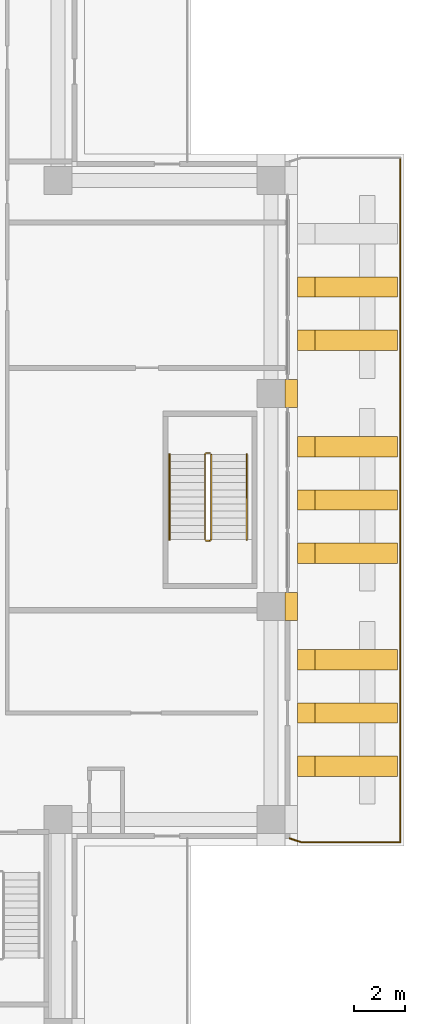
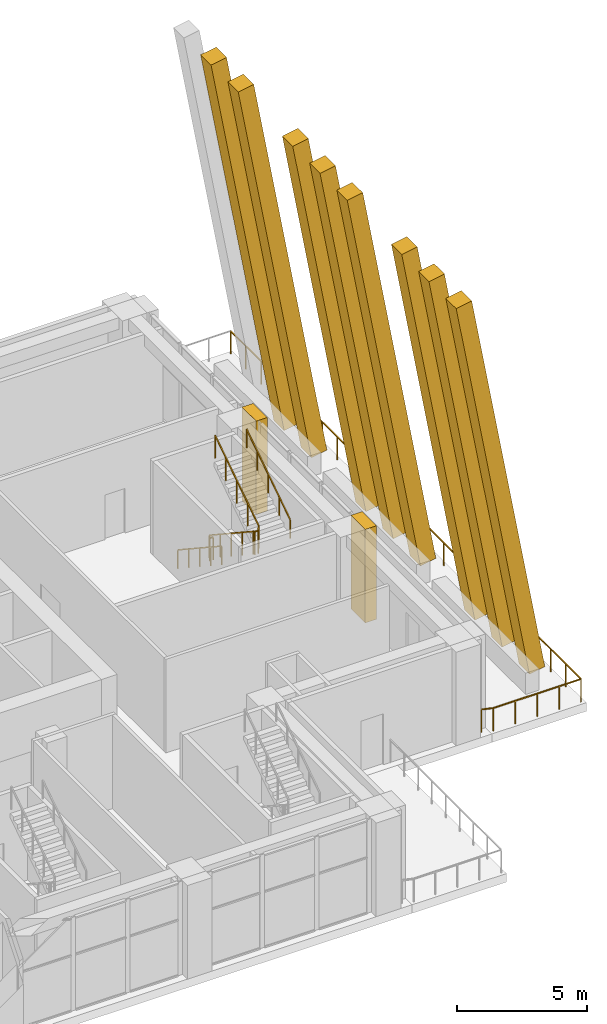
# One storey, part 16 of 19: 10 coverings, 6 railings.
"""IFC4 building model written with IfcOpenShell, lengths in metres."""

from ifc_helpers import new_model, si_unit, direction, frame, origin, origin_2d, place, context, subcontext, project, spatial, polyline, rectangle, outline, extrude, material, material_profile, profile_set, type_object, element, save


model = new_model("IFC4")

# Units and contexts
model_context = context("Model", 3, precision=1e-05, world=origin(), true_north=direction((0.0, 1.0)))
body_context = subcontext(model_context, "Body", "Model", "MODEL_VIEW")
ifc_project = project(units=[si_unit("LENGTHUNIT", "METRE"), si_unit("AREAUNIT", "SQUARE_METRE"), si_unit("VOLUMEUNIT", "CUBIC_METRE"), si_unit("PLANEANGLEUNIT", "RADIAN"), si_unit("MASSUNIT", "GRAM", prefix="KILO")], contexts=[model_context])

# Site, building, storey
site_placement = place(None, origin())
site = spatial("IfcSite", under=ifc_project, at=site_placement, CompositionType="ELEMENT")
building_placement = place(site_placement, origin())
building = spatial("IfcBuilding", under=site, at=building_placement, Name="Vermilion Ogive Tower", CompositionType="ELEMENT")
storey_placement = place(building_placement, frame((0.0, 0.0, 128.300048828125)))
storey = spatial("IfcBuildingStorey", under=building, at=storey_placement, Name="L32", CompositionType="ELEMENT", Elevation=128.300048828125)

# Railings
ifc_material_1 = material(Name="Steel S355 painted", Category="steel")
railing_type_1 = type_object("IfcRailingType", Name="Stair guard 1100", PredefinedType="GUARDRAIL", material=ifc_material_1)
railing_1_placement = place(storey_placement, frame((18.60009765625, 1.85009765625, 0.0)))
element("IfcRailing", 1, at=railing_1_placement, inside=storey, type_object=railing_type_1, Name="L32 ST8 stair guard 4", PredefinedType="GUARDRAIL", context=body_context, shape_type="SweptSolid", body=[
    extrude(rectangle(XDim=0.048095703125, YDim=0.048095703125, at=origin_2d()), frame((0.0, 0.0, 1.076171875), z_axis=(-1.0, 0.0, 0.0), x_axis=(0.0, -1.0, 0.0)), (0.0, 0.0, 1.0), 0.150146484375),
    extrude(rectangle(XDim=0.048095703125, YDim=0.048095703125, at=origin_2d()), frame((-0.150146484375, 0.0, 1.076171875), z_axis=(-0.253185614162, -0.253185614162, 0.933699142959), x_axis=(0.707106781187, -0.707106781187, 0.0)), (0.0, 0.0, 1.0), 0.19775390625),
    extrude(rectangle(XDim=0.048095703125, YDim=0.048095703125, at=origin_2d()), frame((-0.2001953125, -0.050048828125, 1.2607421875), z_axis=(0.0, -0.834876476806, 0.550437342915), x_axis=(1.0, 0.0, 0.0)), (0.0, 0.0, 1.0), 4.024658203125),
    extrude(rectangle(XDim=0.048095703125, YDim=0.048095703125, at=origin_2d()), frame((-0.2001953125, -3.41015625, 3.47607421875), z_axis=(0.707106781187, -0.707106781187, 0.0), x_axis=(0.707106781187, 0.707106781187, 0.0)), (0.0, 0.0, 1.0), 0.07080078125),
    extrude(rectangle(XDim=0.048095703125, YDim=0.048095703125, at=origin_2d()), frame((-0.150146484375, -3.460205078125, 3.47607421875), z_axis=(1.0, 0.0, 0.0), x_axis=(0.0, 1.0, 0.0)), (0.0, 0.0, 1.0), 0.150146484375),
    extrude(rectangle(XDim=0.048095703125, YDim=0.048095703125, at=origin_2d()), frame((0.0, -3.460205078125, 3.47607421875), z_axis=(0.252029191293, 0.253264628505, 0.933990532438), x_axis=(-0.708833529934, 0.705375805398, 0.0)), (0.0, 0.0, 1.0), 0.197509765625),
    extrude(rectangle(XDim=0.048095703125, YDim=0.048095703125, at=origin_2d()), frame((0.0498046875, -3.41015625, 3.66064453125), z_axis=(0.0, 0.834848600103, 0.550479622607), x_axis=(-1.0, 0.0, 0.0)), (0.0, 0.0, 1.0), 4.02490234375),
    extrude(rectangle(XDim=0.0419921875, YDim=0.0419921875, at=origin_2d()), origin(), (0.0, 0.0, 1.0), 1.052001953125),
    extrude(rectangle(XDim=0.0419921875, YDim=0.0419921875, at=origin_2d()), frame((-0.150146484375, 0.0, 0.0)), (0.0, 0.0, 1.0), 1.052001953125),
    extrude(rectangle(XDim=0.0419921875, YDim=0.0419921875, at=origin_2d()), frame((-0.2001953125, -0.050048828125, 0.1845703125)), (0.0, 0.0, 1.0), 1.052001953125),
    extrude(rectangle(XDim=0.0419921875, YDim=0.0419921875, at=origin_2d()), frame((-0.2001953125, -0.89013671875, 0.73828125)), (0.0, 0.0, 1.0), 1.052001953125),
    extrude(rectangle(XDim=0.0419921875, YDim=0.0419921875, at=origin_2d()), frame((-0.2001953125, -1.72998046875, 1.292236328125)), (0.0, 0.0, 1.0), 1.052001953125),
    extrude(rectangle(XDim=0.0419921875, YDim=0.0419921875, at=origin_2d()), frame((-0.2001953125, -2.570068359375, 1.84619140625)), (0.0, 0.0, 1.0), 1.052001953125),
    extrude(rectangle(XDim=0.0419921875, YDim=0.0419921875, at=origin_2d()), frame((-0.2001953125, -3.41015625, 2.39990234375)), (0.0, 0.0, 1.0), 1.052001953125),
    extrude(rectangle(XDim=0.0419921875, YDim=0.0419921875, at=origin_2d()), frame((-0.150146484375, -3.460205078125, 2.39990234375)), (0.0, 0.0, 1.0), 1.052001953125),
    extrude(rectangle(XDim=0.0419921875, YDim=0.0419921875, at=origin_2d()), frame((0.0, -3.460205078125, 2.39990234375)), (0.0, 0.0, 1.0), 1.052001953125),
    extrude(rectangle(XDim=0.0419921875, YDim=0.0419921875, at=origin_2d()), frame((0.0498046875, -3.41015625, 2.58447265625)), (0.0, 0.0, 1.0), 1.052001953125),
    extrude(rectangle(XDim=0.0419921875, YDim=0.0419921875, at=origin_2d()), frame((0.0498046875, -2.570068359375, 3.138427734375)), (0.0, 0.0, 1.0), 1.052001953125),
    extrude(rectangle(XDim=0.0419921875, YDim=0.0419921875, at=origin_2d()), frame((0.0498046875, -1.72998046875, 3.6923828125)), (0.0, 0.0, 1.0), 1.052001953125),
    extrude(rectangle(XDim=0.0419921875, YDim=0.0419921875, at=origin_2d()), frame((0.0498046875, -0.89013671875, 4.24609375)), (0.0, 0.0, 1.0), 1.052001953125),
    extrude(rectangle(XDim=0.0419921875, YDim=0.0419921875, at=origin_2d()), frame((0.0498046875, -0.050048828125, 4.800048828125)), (0.0, 0.0, 1.0), 1.052001953125),
])
ifc_material_2 = material(Name="Stainless steel", Category="steel")
railing_type_2 = type_object("IfcRailingType", Name="Stair handrail 900", PredefinedType="HANDRAIL", material=ifc_material_2)
railing_2_placement = place(storey_placement, frame((17.0, 1.800048828125, 0.1845703125)))
element("IfcRailing", 2, at=railing_2_placement, inside=storey, type_object=railing_type_2, Name="L32 ST8 stair handrail 1", PredefinedType="HANDRAIL", context=body_context, shape_type="SweptSolid", body=[
    extrude(rectangle(XDim=0.048095703125, YDim=0.048095703125, at=origin_2d()), frame((0.0, 0.0, 0.8759765625), z_axis=(0.0, -0.834876476806, 0.550437342915), x_axis=(1.0, 0.0, 0.0)), (0.0, 0.0, 1.0), 4.024658203125),
    extrude(rectangle(XDim=0.0419921875, YDim=0.0419921875, at=origin_2d()), origin(), (0.0, 0.0, 1.0), 0.851806640625),
    extrude(rectangle(XDim=0.0419921875, YDim=0.0419921875, at=origin_2d()), frame((0.0, -0.840087890625, 0.5537109375)), (0.0, 0.0, 1.0), 0.851806640625),
    extrude(rectangle(XDim=0.0419921875, YDim=0.0419921875, at=origin_2d()), frame((0.0, -1.68017578125, 1.107666015625)), (0.0, 0.0, 1.0), 0.851806640625),
    extrude(rectangle(XDim=0.0419921875, YDim=0.0419921875, at=origin_2d()), frame((0.0, -2.52001953125, 1.66162109375)), (0.0, 0.0, 1.0), 0.851806640625),
    extrude(rectangle(XDim=0.0419921875, YDim=0.0419921875, at=origin_2d()), frame((0.0, -3.360107421875, 2.21533203125)), (0.0, 0.0, 1.0), 0.851806640625),
])
railing_3_placement = place(storey_placement, frame((20.050048828125, -1.56005859375, 2.58447265625)))
element("IfcRailing", 3, at=railing_3_placement, inside=storey, type_object=railing_type_2, Name="L32 ST8 stair handrail 2", PredefinedType="HANDRAIL", context=body_context, shape_type="SweptSolid", body=[
    extrude(rectangle(XDim=0.048095703125, YDim=0.048095703125, at=origin_2d()), frame((0.0, 0.0, 0.8759765625), z_axis=(0.0, 0.834848600103, 0.550479622607), x_axis=(-1.0, 0.0, 0.0)), (0.0, 0.0, 1.0), 4.02490234375),
    extrude(rectangle(XDim=0.0419921875, YDim=0.0419921875, at=origin_2d()), origin(), (0.0, 0.0, 1.0), 0.851806640625),
    extrude(rectangle(XDim=0.0419921875, YDim=0.0419921875, at=origin_2d()), frame((0.0, 0.840087890625, 0.553955078125)), (0.0, 0.0, 1.0), 0.851806640625),
    extrude(rectangle(XDim=0.0419921875, YDim=0.0419921875, at=origin_2d()), frame((0.0, 1.68017578125, 1.10791015625)), (0.0, 0.0, 1.0), 0.851806640625),
    extrude(rectangle(XDim=0.0419921875, YDim=0.0419921875, at=origin_2d()), frame((0.0, 2.52001953125, 1.66162109375)), (0.0, 0.0, 1.0), 0.851806640625),
    extrude(rectangle(XDim=0.0419921875, YDim=0.0419921875, at=origin_2d()), frame((0.0, 3.360107421875, 2.215576171875)), (0.0, 0.0, 1.0), 0.851806640625),
])

# Coverings
ifc_material_3 = material(Name="Stone cladding", Category="masonry")
ifc_material_profile = material_profile(ifc_material_3, rectangle(XDim=0.800048828125, YDim=0.699951171875, at=origin_2d()), Name="STONE 800x700")
ifc_profile_set = profile_set([ifc_material_profile], Name="Stone cladding")
covering_type_1 = type_object("IfcCoveringType", Name="Stone flare fin", PredefinedType="CLADDING", material=ifc_profile_set)
for number, where, z_axis, x_axis, name in (
    (4, (25.64990234375, -10.5, 0.06103515625), (-0.174779768693, 0.0, 0.984607552508), (0.0, -1.0, 0.0), "Stone flare fin EL01"),
    (5, (25.64990234375, -8.39990234375, 0.06103515625), (-0.174779768693, 0.0, 0.984607552508), (0.0, -1.0, 0.0), "Stone flare fin EL02"),
    (6, (25.64990234375, -6.300048828125, 0.06103515625), (-0.174779768693, 0.0, 0.984607552508), (0.0, -1.0, 0.0), "Stone flare fin EL03"),
    (7, (25.64990234375, -2.10009765625, 0.06103515625), (-0.174779768693, 0.0, 0.984607552508), (0.0, -1.0, 0.0), "Stone flare fin EL04"),
    (8, (25.64990234375, 0.0, 0.06103515625), (-0.174779768693, 0.0, 0.984607552508), (0.0, -1.0, 0.0), "Stone flare fin EL05"),
    (9, (25.64990234375, 2.10009765625, 0.06103515625), (-0.174779768693, 0.0, 0.984607552508), (0.0, -1.0, 0.0), "Stone flare fin EL06"),
    (10, (25.64990234375, 6.300048828125, 0.06103515625), (-0.174779768693, 0.0, 0.984607552508), (0.0, -1.0, 0.0), "Stone flare fin EL07"),
    (11, (25.64990234375, 8.39990234375, 0.06103515625), (-0.174779768693, 0.0, 0.984607552508), (0.0, -1.0, 0.0), "Stone flare fin EL08"),
):
    element("IfcCovering", number, at=place(storey_placement, frame(where, z_axis=z_axis, x_axis=x_axis)), inside=storey, type_object=covering_type_1, Name=name, PredefinedType="CLADDING", context=body_context, shape_type="SweptSolid", body=[
        extrude(rectangle(XDim=0.800048828125, YDim=0.699951171875, at=origin_2d()), origin(), (0.0, 0.0, 1.0), 18.62548828125),
    ])
ifc_material_4 = material(Name="Stone cladding", Category="masonry")
covering_type_2 = type_object("IfcCoveringType", Name="Stone pier", PredefinedType="CLADDING", material=ifc_material_4)
covering_1_placement = place(storey_placement, origin())
element("IfcCovering", 12, at=covering_1_placement, inside=storey, type_object=covering_type_2, Name="Stone pier P+0210+042", PredefinedType="CLADDING", context=body_context, shape_type="SweptSolid", body=[
    extrude(outline(polyline([(21.550048828125, 4.75), (22.050048828125, 4.75), (22.050048828125, 3.64990234375), (21.550048828125, 3.64990234375), (21.550048828125, 4.75), (21.550048828125, 4.75)])), origin(), (0.0, 0.0, 1.0), 4.39990234375),
])
covering_2_placement = place(storey_placement, origin())
element("IfcCovering", 13, at=covering_2_placement, inside=storey, type_object=covering_type_2, Name="Stone pier P+0210-042", PredefinedType="CLADDING", context=body_context, shape_type="SweptSolid", body=[
    extrude(outline(polyline([(21.550048828125, -3.64990234375), (22.050048828125, -3.64990234375), (22.050048828125, -4.75), (21.550048828125, -4.75), (21.550048828125, -4.75), (21.550048828125, -3.64990234375)])), origin(), (0.0, 0.0, 1.0), 4.39990234375),
])

# Railings
ifc_material_5 = material(Name="Stainless steel and glass", Category="steel")
railing_type_3 = type_object("IfcRailingType", Name="Terrace guard", PredefinedType="GUARDRAIL", material=ifc_material_5)
railing_4_placement = place(storey_placement, frame((26.10009765625, 13.5, 0.0)))
element("IfcRailing", 14, at=railing_4_placement, inside=storey, type_object=railing_type_3, Name="Terrace guard 5.1.3", PredefinedType="GUARDRAIL", context=body_context, shape_type="SweptSolid", body=[
    extrude(rectangle(XDim=0.048095703125, YDim=0.048095703125, at=origin_2d()), frame((0.0, 0.0, 1.076171875), z_axis=(0.0, -1.0, 0.0), x_axis=(1.0, 0.0, 0.0)), (0.0, 0.0, 1.0), 27.0),
    extrude(rectangle(XDim=0.0419921875, YDim=0.0419921875, at=origin_2d()), origin(), (0.0, 0.0, 1.0), 1.052001953125),
    extrude(rectangle(XDim=0.0419921875, YDim=0.0419921875, at=origin_2d()), frame((0.0, -1.173828125, 0.0)), (0.0, 0.0, 1.0), 1.052001953125),
    extrude(rectangle(XDim=0.0419921875, YDim=0.0419921875, at=origin_2d()), frame((0.0, -2.347900390625, 0.0)), (0.0, 0.0, 1.0), 1.052001953125),
    extrude(rectangle(XDim=0.0419921875, YDim=0.0419921875, at=origin_2d()), frame((0.0, -3.521728515625, 0.0)), (0.0, 0.0, 1.0), 1.052001953125),
    extrude(rectangle(XDim=0.0419921875, YDim=0.0419921875, at=origin_2d()), frame((0.0, -4.695556640625, 0.0)), (0.0, 0.0, 1.0), 1.052001953125),
    extrude(rectangle(XDim=0.0419921875, YDim=0.0419921875, at=origin_2d()), frame((0.0, -5.86962890625, 0.0)), (0.0, 0.0, 1.0), 1.052001953125),
    extrude(rectangle(XDim=0.0419921875, YDim=0.0419921875, at=origin_2d()), frame((0.0, -7.04345703125, 0.0)), (0.0, 0.0, 1.0), 1.052001953125),
    extrude(rectangle(XDim=0.0419921875, YDim=0.0419921875, at=origin_2d()), frame((0.0, -8.21728515625, 0.0)), (0.0, 0.0, 1.0), 1.052001953125),
    extrude(rectangle(XDim=0.0419921875, YDim=0.0419921875, at=origin_2d()), frame((0.0, -9.391357421875, 0.0)), (0.0, 0.0, 1.0), 1.052001953125),
    extrude(rectangle(XDim=0.0419921875, YDim=0.0419921875, at=origin_2d()), frame((0.0, -10.565185546875, 0.0)), (0.0, 0.0, 1.0), 1.052001953125),
    extrude(rectangle(XDim=0.0419921875, YDim=0.0419921875, at=origin_2d()), frame((0.0, -11.739013671875, 0.0)), (0.0, 0.0, 1.0), 1.052001953125),
    extrude(rectangle(XDim=0.0419921875, YDim=0.0419921875, at=origin_2d()), frame((0.0, -12.9130859375, 0.0)), (0.0, 0.0, 1.0), 1.052001953125),
    extrude(rectangle(XDim=0.0419921875, YDim=0.0419921875, at=origin_2d()), frame((0.0, -14.0869140625, 0.0)), (0.0, 0.0, 1.0), 1.052001953125),
    extrude(rectangle(XDim=0.0419921875, YDim=0.0419921875, at=origin_2d()), frame((0.0, -15.260986328125, 0.0)), (0.0, 0.0, 1.0), 1.052001953125),
    extrude(rectangle(XDim=0.0419921875, YDim=0.0419921875, at=origin_2d()), frame((0.0, -16.434814453125, 0.0)), (0.0, 0.0, 1.0), 1.052001953125),
    extrude(rectangle(XDim=0.0419921875, YDim=0.0419921875, at=origin_2d()), frame((0.0, -17.608642578125, 0.0)), (0.0, 0.0, 1.0), 1.052001953125),
    extrude(rectangle(XDim=0.0419921875, YDim=0.0419921875, at=origin_2d()), frame((0.0, -18.78271484375, 0.0)), (0.0, 0.0, 1.0), 1.052001953125),
    extrude(rectangle(XDim=0.0419921875, YDim=0.0419921875, at=origin_2d()), frame((0.0, -19.95654296875, 0.0)), (0.0, 0.0, 1.0), 1.052001953125),
    extrude(rectangle(XDim=0.0419921875, YDim=0.0419921875, at=origin_2d()), frame((0.0, -21.13037109375, 0.0)), (0.0, 0.0, 1.0), 1.052001953125),
    extrude(rectangle(XDim=0.0419921875, YDim=0.0419921875, at=origin_2d()), frame((0.0, -22.304443359375, 0.0)), (0.0, 0.0, 1.0), 1.052001953125),
    extrude(rectangle(XDim=0.0419921875, YDim=0.0419921875, at=origin_2d()), frame((0.0, -23.478271484375, 0.0)), (0.0, 0.0, 1.0), 1.052001953125),
    extrude(rectangle(XDim=0.0419921875, YDim=0.0419921875, at=origin_2d()), frame((0.0, -24.652099609375, 0.0)), (0.0, 0.0, 1.0), 1.052001953125),
    extrude(rectangle(XDim=0.0419921875, YDim=0.0419921875, at=origin_2d()), frame((0.0, -25.826171875, 0.0)), (0.0, 0.0, 1.0), 1.052001953125),
    extrude(rectangle(XDim=0.0419921875, YDim=0.0419921875, at=origin_2d()), frame((0.0, -27.0, 0.0)), (0.0, 0.0, 1.0), 1.052001953125),
])
railing_5_placement = place(storey_placement, frame((26.10009765625, -13.5, 0.0)))
element("IfcRailing", 15, at=railing_5_placement, inside=storey, type_object=railing_type_3, Name="Terrace guard 5.1.4", PredefinedType="GUARDRAIL", context=body_context, shape_type="SweptSolid", body=[
    extrude(rectangle(XDim=0.048095703125, YDim=0.048095703125, at=origin_2d()), frame((0.0, 0.0, 1.076171875), z_axis=(-1.0, 0.0, 0.0), x_axis=(0.0, -1.0, 0.0)), (0.0, 0.0, 1.0), 3.900146484375),
    extrude(rectangle(XDim=0.0419921875, YDim=0.0419921875, at=origin_2d()), origin(), (0.0, 0.0, 1.0), 1.052001953125),
    extrude(rectangle(XDim=0.0419921875, YDim=0.0419921875, at=origin_2d()), frame((-0.97509765625, 0.0, 0.0)), (0.0, 0.0, 1.0), 1.052001953125),
    extrude(rectangle(XDim=0.0419921875, YDim=0.0419921875, at=origin_2d()), frame((-1.9501953125, 0.0, 0.0)), (0.0, 0.0, 1.0), 1.052001953125),
    extrude(rectangle(XDim=0.0419921875, YDim=0.0419921875, at=origin_2d()), frame((-2.925048828125, 0.0, 0.0)), (0.0, 0.0, 1.0), 1.052001953125),
    extrude(rectangle(XDim=0.0419921875, YDim=0.0419921875, at=origin_2d()), frame((-3.900146484375, 0.0, 0.0)), (0.0, 0.0, 1.0), 1.052001953125),
])
railing_6_placement = place(storey_placement, frame((22.199951171875, -13.5, 0.0)))
element("IfcRailing", 16, at=railing_6_placement, inside=storey, type_object=railing_type_3, Name="Terrace guard 5.1.5", PredefinedType="GUARDRAIL", context=body_context, shape_type="SweptSolid", body=[
    extrude(rectangle(XDim=0.048095703125, YDim=0.048095703125, at=origin_2d()), frame((0.0, 0.0, 1.076171875), z_axis=(-0.948734763221, 0.316073328604, 0.0), x_axis=(-0.316073328604, -0.948734763221, 0.0)), (0.0, 0.0, 1.0), 0.474365234375),
    extrude(rectangle(XDim=0.0419921875, YDim=0.0419921875, at=origin_2d()), origin(), (0.0, 0.0, 1.0), 1.052001953125),
    extrude(rectangle(XDim=0.0419921875, YDim=0.0419921875, at=origin_2d()), frame((-0.449951171875, 0.14990234375, 0.0)), (0.0, 0.0, 1.0), 1.052001953125),
])

save(model, "model.ifc")
